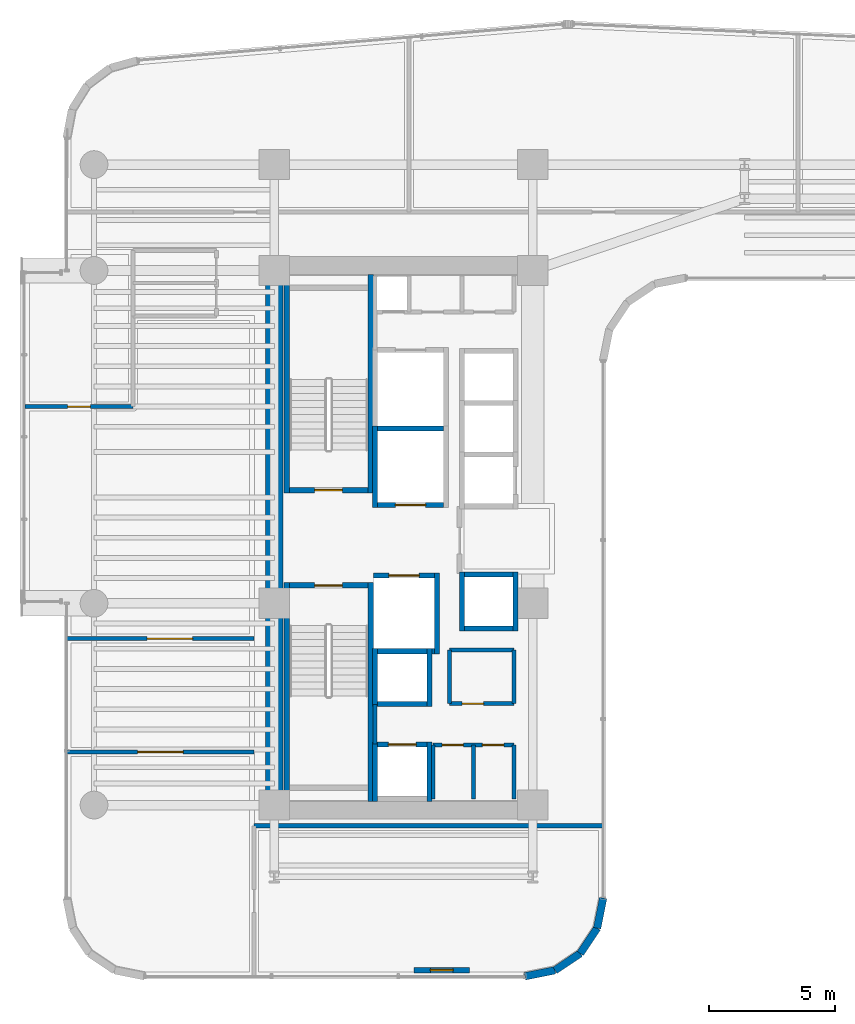
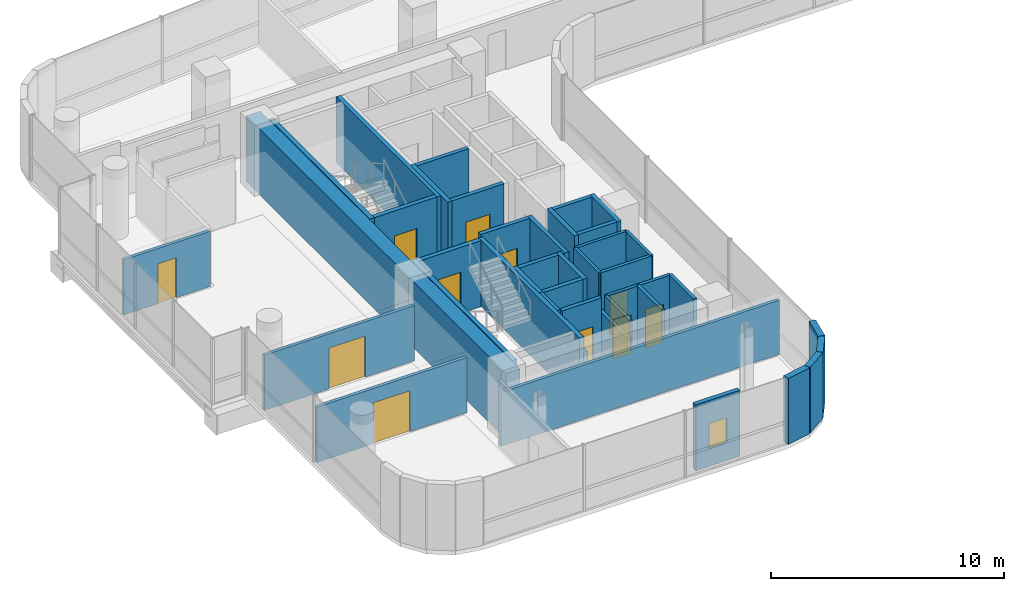
# One storey, part 26 of 34: 41 walls, 11 doors, 1 window, 12 openings.
"""IFC4 building model written with IfcOpenShell, lengths in metres."""

from ifc_helpers import new_model, si_unit, direction, frame, frame_2d, origin, place, context, subcontext, project, spatial, rectangle, extrude, material, layer, layer_set, type_object, element, fill, save


model = new_model("IFC4")

# Units and contexts
model_context = context("Model", 3, precision=1e-05, world=origin(), true_north=direction((0.0, 1.0)))
body_context = subcontext(model_context, "Body", "Model", "MODEL_VIEW")
ifc_project = project(units=[si_unit("LENGTHUNIT", "METRE"), si_unit("AREAUNIT", "SQUARE_METRE"), si_unit("VOLUMEUNIT", "CUBIC_METRE"), si_unit("PLANEANGLEUNIT", "RADIAN"), si_unit("MASSUNIT", "GRAM", prefix="KILO")], contexts=[model_context])

# Site, building, storey
site_placement = place(None, origin())
site = spatial("IfcSite", under=ifc_project, at=site_placement, CompositionType="ELEMENT")
building_placement = place(site_placement, origin())
building = spatial("IfcBuilding", under=site, at=building_placement, Name="Valdorenza Pilgrim Sanctuary Tower", CompositionType="ELEMENT")
storey_placement = place(building_placement, frame((0.0, 0.0, 146.39990234375)))
storey = spatial("IfcBuildingStorey", under=building, at=storey_placement, Name="L37", CompositionType="ELEMENT", Elevation=146.39990234375)

# Wall
ifc_material_1 = material(Name="Acoustic twin-stud gypsum partition", Category="gypsum")
ifc_layer_1 = layer(ifc_material_1, 0.159912109375, Name="Acoustic twin-stud gypsum partition")
ifc_layer_set_1 = layer_set([ifc_layer_1], Name="Acoustic twin-stud gypsum partition")
wall_type_1 = type_object("IfcWallType", Name="WAL-COR-160", PredefinedType="PARTITIONING", material=ifc_layer_set_1)
wall_1_placement = place(storey_placement, frame((-18.64990234375, -8.179931640625, 0.0), z_axis=(0.0, 0.0, 1.0), x_axis=(0.0, 1.0, 0.0)))
element("IfcWall", 1, at=wall_1_placement, inside=storey, type_object=wall_type_1, Name="L37 Core A South Lift Hall West Wall", PredefinedType="PARTITIONING", context=body_context, shape_type="SweptSolid", body=[
    extrude(rectangle(XDim=1.559814453125, YDim=0.159912109375, at=frame_2d((0.77978515625, 0.0))), origin(), (0.0, 0.0, 1.0), 3.460205078125),
])

# Wall, openings, doors
wall_2_placement = place(storey_placement, frame((-16.35009765625, -8.219970703125, 0.0), z_axis=(0.0, 0.0, 1.0), x_axis=(1.0, 0.0, 0.0)))
wall_2 = element("IfcWall", 2, at=wall_2_placement, inside=storey, type_object=wall_type_1, Name="L37 Freed Shaft 1 North Wall", PredefinedType="PARTITIONING", context=body_context, shape_type="SweptSolid", body=[
    extrude(rectangle(XDim=3.2001953125, YDim=0.159912109375, at=frame_2d((1.60009765625, 0.0))), origin(), (0.0, 0.0, 1.0), 3.460205078125),
])
opening_1_placement = place(wall_2_placement, frame((0.35009765625, 0.0, 0.0)))
opening_1 = element("IfcOpeningElement", 3, at=opening_1_placement, cuts=wall_2, Name="Opening DR-RS1", PredefinedType="OPENING", context=body_context, shape_type="SweptSolid", body=[
    extrude(rectangle(XDim=0.85009765625, YDim=2.050048828125, at=frame_2d((0.425048828125, 1.02490234375))), frame((0.0, 0.0947265625, 0.0), z_axis=(0.0, -1.0, 0.0), x_axis=(1.0, 0.0, 0.0)), (0.0, 0.0, 1.0), 0.189697265625),
])
opening_2_placement = place(wall_2_placement, frame((1.949951171875, 0.0, 0.0)))
opening_2 = element("IfcOpeningElement", 4, at=opening_2_placement, cuts=wall_2, Name="Opening DR-RS1", PredefinedType="OPENING", context=body_context, shape_type="SweptSolid", body=[
    extrude(rectangle(XDim=0.85009765625, YDim=2.050048828125, at=frame_2d((0.425048828125, 1.02490234375))), frame((0.0, 0.0947265625, 0.0), z_axis=(0.0, -1.0, 0.0), x_axis=(1.0, 0.0, 0.0)), (0.0, 0.0, 1.0), 0.189697265625),
])
ifc_material_2 = material(Name="Painted galvanized steel", Category="steel")
door_type_1 = type_object("IfcDoorType", Name="DR-RSR-850", OperationType="NOTDEFINED", PredefinedType="DOOR", material=ifc_material_2)
door_1_placement = place(opening_1_placement, origin())
door_1 = element("IfcDoor", 5, at=door_1_placement, inside=storey, type_object=door_type_1, Name="L37 Linen Store Door", OperationType="SINGLE_SWING_RIGHT", OverallHeight=2.050048828125, OverallWidth=0.85009765625, PredefinedType="DOOR", context=body_context, shape_type="SweptSolid", body=[
    extrude(rectangle(XDim=0.85009765625, YDim=2.050048828125, at=frame_2d((0.425048828125, 1.02490234375))), frame((0.0, 0.02490234375, 0.0), z_axis=(0.0, -1.0, 0.0), x_axis=(1.0, 0.0, 0.0)), (0.0, 0.0, 1.0), 0.050048828125),
])
fill(opening_1, door_1)
door_2_placement = place(opening_2_placement, origin())
door_2 = element("IfcDoor", 6, at=door_2_placement, inside=storey, type_object=door_type_1, Name="L37 Cot Store Door", OperationType="SINGLE_SWING_LEFT", OverallHeight=2.050048828125, OverallWidth=0.85009765625, PredefinedType="DOOR", context=body_context, shape_type="SweptSolid", body=[
    extrude(rectangle(XDim=0.85009765625, YDim=2.050048828125, at=frame_2d((0.425048828125, 1.02490234375))), frame((0.0, 0.02490234375, 0.0), z_axis=(0.0, -1.0, 0.0), x_axis=(1.0, 0.0, 0.0)), (0.0, 0.0, 1.0), 0.050048828125),
])
fill(opening_2, door_2)

# Walls
for number, where, z_axis, x_axis, name in (
    (7, (-13.14990234375, -10.35009765625, 0.0), (0.0, 0.0, 1.0), (0.0, 1.0, 0.0), "L37 Freed Shaft 1 East Wall"),
    (8, (-14.75, -10.35009765625, 0.0), (0.0, 0.0, 1.0), (0.0, 1.0, 0.0), "L37 Freed Shaft 1 Split Wall"),
):
    element("IfcWall", number, at=place(storey_placement, frame(where, z_axis=z_axis, x_axis=x_axis)), inside=storey, type_object=wall_type_1, Name=name, PredefinedType="PARTITIONING", context=body_context, shape_type="SweptSolid", body=[
        extrude(rectangle(XDim=2.130126953125, YDim=0.159912109375, at=frame_2d((1.06494140625, 0.0))), origin(), (0.0, 0.0, 1.0), 3.460205078125),
    ])

# Wall, opening, door
wall_3_placement = place(storey_placement, frame((-15.699951171875, -6.580078125, 0.0), z_axis=(0.0, 0.0, 1.0), x_axis=(1.0, 0.0, 0.0)))
wall_3 = element("IfcWall", 9, at=wall_3_placement, inside=storey, type_object=wall_type_1, Name="L37 Freed Shaft 2 South Wall", PredefinedType="PARTITIONING", context=body_context, shape_type="SweptSolid", body=[
    extrude(rectangle(XDim=2.550048828125, YDim=0.159912109375, at=frame_2d((1.27490234375, 0.0))), origin(), (0.0, 0.0, 1.0), 3.460205078125),
])
opening_3_placement = place(wall_3_placement, frame((0.5, 0.0, 0.0)))
opening_3 = element("IfcOpeningElement", 10, at=opening_3_placement, cuts=wall_3, Name="Opening DR-RS1", PredefinedType="OPENING", context=body_context, shape_type="SweptSolid", body=[
    extrude(rectangle(XDim=0.85009765625, YDim=2.050048828125, at=frame_2d((0.425048828125, 1.02490234375))), frame((0.0, 0.0947265625, 0.0), z_axis=(0.0, -1.0, 0.0), x_axis=(1.0, 0.0, 0.0)), (0.0, 0.0, 1.0), 0.189697265625),
])
door_3_placement = place(opening_3_placement, origin())
door_3 = element("IfcDoor", 11, at=door_3_placement, inside=storey, type_object=door_type_1, Name="L37 Guest Tea Pantry Door", OperationType="SINGLE_SWING_RIGHT", OverallHeight=2.050048828125, OverallWidth=0.85009765625, PredefinedType="DOOR", context=body_context, shape_type="SweptSolid", body=[
    extrude(rectangle(XDim=0.85009765625, YDim=2.050048828125, at=frame_2d((0.425048828125, 1.02490234375))), frame((0.0, 0.02490234375, 0.0), z_axis=(0.0, -1.0, 0.0), x_axis=(1.0, 0.0, 0.0)), (0.0, 0.0, 1.0), 0.050048828125),
])
fill(opening_3, door_3)

# Walls
wall_4_placement = place(storey_placement, frame((-13.14990234375, -6.580078125, 0.0), z_axis=(0.0, 0.0, 1.0), x_axis=(0.0, 1.0, 0.0)))
element("IfcWall", 12, at=wall_4_placement, inside=storey, type_object=wall_type_1, Name="L37 Freed Shaft 2 East Wall", PredefinedType="PARTITIONING", context=body_context, shape_type="SweptSolid", body=[
    extrude(rectangle(XDim=2.130126953125, YDim=0.159912109375, at=frame_2d((1.06494140625, 0.0))), origin(), (0.0, 0.0, 1.0), 3.460205078125),
])
wall_5_placement = place(storey_placement, frame((-23.449951171875, -11.419921875, 0.0), z_axis=(0.0, 0.0, 1.0), x_axis=(1.0, 0.0, 0.0)))
element("IfcWall", 13, at=wall_5_placement, inside=storey, type_object=wall_type_1, Name="L37 South-East Pocket North Wall", PredefinedType="PARTITIONING", context=body_context, shape_type="SweptSolid", body=[
    extrude(rectangle(XDim=13.83984375, YDim=0.159912109375, at=frame_2d((6.919921875, 0.0))), origin(), (0.0, 0.0, 1.0), 2.833984375),
])

# Wall, opening, door
wall_6_placement = place(storey_placement, frame((-30.889892578125, -8.5, 0.0), z_axis=(0.0, 0.0, 1.0), x_axis=(1.0, 0.0, 0.0)))
wall_6 = element("IfcWall", 14, at=wall_6_placement, inside=storey, type_object=wall_type_1, Name="L37 Cloister South Room Wall", PredefinedType="PARTITIONING", context=body_context, shape_type="SweptSolid", body=[
    extrude(rectangle(XDim=7.43994140625, YDim=0.159912109375, at=frame_2d((3.719970703125, 0.0))), origin(), (0.0, 0.0, 1.0), 2.89599609375),
])
opening_4_placement = place(wall_6_placement, frame((2.820068359375, 0.0, 0.0)))
opening_4 = element("IfcOpeningElement", 15, at=opening_4_placement, cuts=wall_6, Name="Opening DR-HL1", PredefinedType="OPENING", context=body_context, shape_type="SweptSolid", body=[
    extrude(rectangle(XDim=1.800048828125, YDim=2.14990234375, at=frame_2d((0.89990234375, 1.074951171875))), frame((0.0, 0.0947265625, 0.0), z_axis=(0.0, -1.0, 0.0), x_axis=(1.0, 0.0, 0.0)), (0.0, 0.0, 1.0), 0.189697265625),
])
ifc_material_3 = material(Name="Acoustic oak and vision-glass double door", Category="glass")
door_type_2 = type_object("IfcDoorType", Name="DR-HALL-1800", OperationType="NOTDEFINED", PredefinedType="DOOR", material=ifc_material_3)
door_4_placement = place(opening_4_placement, frame((1.800048828125, 0.0, 0.0), z_axis=(0.0, 0.0, 1.0), x_axis=(-1.0, 0.0, 0.0)))
door_4 = element("IfcDoor", 16, at=door_4_placement, inside=storey, type_object=door_type_2, Name="L37 Theological Seminar Classroom L37-S1 Door", OperationType="DOUBLE_DOOR_SINGLE_SWING", OverallHeight=2.14990234375, OverallWidth=1.800048828125, PredefinedType="DOOR", context=body_context, shape_type="SweptSolid", body=[
    extrude(rectangle(XDim=1.800048828125, YDim=2.14990234375, at=frame_2d((0.89990234375, 1.074951171875))), frame((0.0, 0.02490234375, 0.0), z_axis=(0.0, -1.0, 0.0), x_axis=(1.0, 0.0, 0.0)), (0.0, 0.0, 1.0), 0.050048828125),
])
fill(opening_4, door_4)

wall_7_placement = place(storey_placement, frame((-32.5400390625, 5.199951171875, 0.0), z_axis=(0.0, 0.0, 1.0), x_axis=(1.0, 0.0, 0.0)))
wall_7 = element("IfcWall", 17, at=wall_7_placement, inside=storey, type_object=wall_type_1, Name="L37 Cloister North Room Wall", PredefinedType="PARTITIONING", context=body_context, shape_type="SweptSolid", body=[
    extrude(rectangle(XDim=4.2900390625, YDim=0.159912109375, at=frame_2d((2.14501953125, 0.0))), origin(), (0.0, 0.0, 1.0), 2.89599609375),
])
opening_5_placement = place(wall_7_placement, frame((1.695068359375, 0.0, 0.0)))
opening_5 = element("IfcOpeningElement", 18, at=opening_5_placement, cuts=wall_7, Name="Opening DR-RM1", PredefinedType="OPENING", context=body_context, shape_type="SweptSolid", body=[
    extrude(rectangle(XDim=0.89990234375, YDim=2.10009765625, at=frame_2d((0.449951171875, 1.050048828125))), frame((0.0, 0.0947265625, 0.0), z_axis=(0.0, -1.0, 0.0), x_axis=(1.0, 0.0, 0.0)), (0.0, 0.0, 1.0), 0.189697265625),
])
ifc_material_4 = material(Name="Solid-core European oak timber", Category="wood")
door_type_3 = type_object("IfcDoorType", Name="DR-ROOM-900", OperationType="NOTDEFINED", PredefinedType="DOOR", material=ifc_material_4)
door_5_placement = place(opening_5_placement, origin())
door_5 = element("IfcDoor", 19, at=door_5_placement, inside=storey, type_object=door_type_3, Name="L37 North Contemplation Lounge L37 Door", OperationType="SINGLE_SWING_RIGHT", OverallHeight=2.10009765625, OverallWidth=0.89990234375, PredefinedType="DOOR", context=body_context, shape_type="SweptSolid", body=[
    extrude(rectangle(XDim=0.89990234375, YDim=2.10009765625, at=frame_2d((0.449951171875, 1.050048828125))), frame((0.0, 0.02490234375, 0.0), z_axis=(0.0, -1.0, 0.0), x_axis=(1.0, 0.0, 0.0)), (0.0, 0.0, 1.0), 0.050048828125),
])
fill(opening_5, door_5)

wall_8_placement = place(storey_placement, frame((-30.889892578125, -4.0, 0.0), z_axis=(0.0, 0.0, 1.0), x_axis=(1.0, 0.0, 0.0)))
wall_8 = element("IfcWall", 20, at=wall_8_placement, inside=storey, type_object=wall_type_1, Name="L37 Cloister Mid Wall", PredefinedType="PARTITIONING", context=body_context, shape_type="SweptSolid", body=[
    extrude(rectangle(XDim=7.43994140625, YDim=0.159912109375, at=frame_2d((3.719970703125, 0.0))), origin(), (0.0, 0.0, 1.0), 2.89599609375),
])
opening_6_placement = place(wall_8_placement, frame((3.199951171875, 0.0, 0.0)))
opening_6 = element("IfcOpeningElement", 21, at=opening_6_placement, cuts=wall_8, Name="Opening DR-HL1", PredefinedType="OPENING", context=body_context, shape_type="SweptSolid", body=[
    extrude(rectangle(XDim=1.800048828125, YDim=2.14990234375, at=frame_2d((0.89990234375, 1.074951171875))), frame((0.0, 0.0947265625, 0.0), z_axis=(0.0, -1.0, 0.0), x_axis=(1.0, 0.0, 0.0)), (0.0, 0.0, 1.0), 0.189697265625),
])
door_6_placement = place(opening_6_placement, frame((1.800048828125, 0.0, 0.0), z_axis=(0.0, 0.0, 1.0), x_axis=(-1.0, 0.0, 0.0)))
door_6 = element("IfcDoor", 22, at=door_6_placement, inside=storey, type_object=door_type_2, Name="L37 Cloister Mid Double Door", OperationType="DOUBLE_DOOR_SINGLE_SWING", OverallHeight=2.14990234375, OverallWidth=1.800048828125, PredefinedType="DOOR", context=body_context, shape_type="SweptSolid", body=[
    extrude(rectangle(XDim=1.800048828125, YDim=2.14990234375, at=frame_2d((0.89990234375, 1.074951171875))), frame((0.0, 0.02490234375, 0.0), z_axis=(0.0, -1.0, 0.0), x_axis=(1.0, 0.0, 0.0)), (0.0, 0.0, 1.0), 0.050048828125),
])
fill(opening_6, door_6)

# Walls
ifc_material_5 = material(Name="Concrete C60/75", Category="concrete")
ifc_layer_2 = layer(ifc_material_5, 0.699951171875, Name="Concrete C60/75")
ifc_layer_set_2 = layer_set([ifc_layer_2], Name="Concrete C60/75")
wall_type_2 = type_object("IfcWallType", Name="WAL-COR-700", PredefinedType="SHEAR", material=ifc_layer_set_2)
wall_9_placement = place(storey_placement, frame((-22.64990234375, -11.14990234375, 0.0), z_axis=(0.0, 0.0, 1.0), x_axis=(0.0, 1.0, 0.0)))
element("IfcWall", 23, at=wall_9_placement, inside=storey, type_object=wall_type_2, Name="L37 Split Core A Shear Wall W", PredefinedType="SHEAR", context=body_context, shape_type="SweptSolid", body=[
    extrude(rectangle(XDim=22.2998046875, YDim=0.699951171875, at=frame_2d((11.14990234375, 0.0))), origin(), (0.0, 0.0, 1.0), 3.460205078125),
])
ifc_material_6 = material(Name="Honed travertine limestone", Category="masonry")
ifc_layer_3 = layer(ifc_material_6, 0.300048828125, Name="Honed travertine limestone")
ifc_layer_set_3 = layer_set([ifc_layer_3], Name="Honed travertine limestone")
wall_type_3 = type_object("IfcWallType", Name="WAL-EXT-300", PredefinedType="SOLIDWALL", material=ifc_layer_set_3)
wall_10_placement = place(storey_placement, frame((-9.610107421875, -14.289306640625, 0.0), z_axis=(0.0, 0.0, 1.0), x_axis=(-0.194996050505, -0.980804027463, 0.0)))
element("IfcWall", 24, at=wall_10_placement, inside=storey, type_object=wall_type_3, Name="L37 Rounded Wind-Corner Stone Pier 42", PredefinedType="SOLIDWALL", context=body_context, shape_type="SweptSolid", body=[
    extrude(rectangle(XDim=1.2158203125, YDim=0.300048828125, at=frame_2d((0.60791015625, 0.0))), origin(), (0.0, 0.0, 1.0), 3.460205078125),
])
for number, where, z_axis, x_axis, name in (
    (25, (-9.84716796875, -15.481689453125, 0.0), (0.0, 0.0, 1.0), (-0.555635100982, -0.831426265255, 0.0), "L37 Rounded Wind-Corner Stone Pier 43"),
    (26, (-10.5166015625, -16.4833984375, 0.0), (0.0, 0.0, 1.0), (-0.831426265255, -0.555635100982, 0.0), "L37 Rounded Wind-Corner Stone Pier 44"),
):
    element("IfcWall", number, at=place(storey_placement, frame(where, z_axis=z_axis, x_axis=x_axis)), inside=storey, type_object=wall_type_3, Name=name, PredefinedType="SOLIDWALL", context=body_context, shape_type="SweptSolid", body=[
        extrude(rectangle(XDim=1.204833984375, YDim=0.300048828125, at=frame_2d((0.6025390625, 0.0))), origin(), (0.0, 0.0, 1.0), 3.460205078125),
    ])
wall_11_placement = place(storey_placement, frame((-11.518310546875, -17.15283203125, 0.0), z_axis=(0.0, 0.0, 1.0), x_axis=(-0.980804027463, -0.194996050505, 0.0)))
element("IfcWall", 27, at=wall_11_placement, inside=storey, type_object=wall_type_3, Name="L37 Rounded Wind-Corner Stone Pier 45", PredefinedType="SOLIDWALL", context=body_context, shape_type="SweptSolid", body=[
    extrude(rectangle(XDim=1.2158203125, YDim=0.300048828125, at=frame_2d((0.60791015625, 0.0))), origin(), (0.0, 0.0, 1.0), 3.460205078125),
])

# Wall, opening, window
wall_12_placement = place(storey_placement, frame((-14.910888671875, -17.14990234375, 0.0), z_axis=(0.0, 0.0, 1.0), x_axis=(-1.0, 0.0, 0.0)))
wall_12 = element("IfcWall", 28, at=wall_12_placement, inside=storey, type_object=wall_type_3, Name="L37 Operable Ventilation Sash Jamb Pier", PredefinedType="SOLIDWALL", context=body_context, shape_type="SweptSolid", body=[
    extrude(rectangle(XDim=2.199951171875, YDim=0.219970703125, at=frame_2d((1.10009765625, 0.0))), origin(), (0.0, 0.0, 1.0), 3.460205078125),
])
opening_7_placement = place(wall_12_placement, frame((0.64990234375, 0.0, 0.949951171875)))
opening_7 = element("IfcOpeningElement", 29, at=opening_7_placement, cuts=wall_12, Name="Opening WN-OP1", PredefinedType="OPENING", context=body_context, shape_type="SweptSolid", body=[
    extrude(rectangle(XDim=0.89990234375, YDim=1.300048828125, at=frame_2d((0.449951171875, 0.64990234375))), frame((0.0, 0.125, 0.0), z_axis=(0.0, -1.0, 0.0), x_axis=(1.0, 0.0, 0.0)), (0.0, 0.0, 1.0), 0.249755859375),
])
ifc_material_7 = material(Name="Ceramic-fritted low-E IGU glazing", Category="glass")
window_type = type_object("IfcWindowType", Name="WIN-OPN-900", PartitioningType="SINGLE_PANEL", PredefinedType="WINDOW", material=ifc_material_7)
window_placement = place(opening_7_placement, origin())
window = element("IfcWindow", 30, at=window_placement, inside=storey, type_object=window_type, Name="L37 Parallel-Pop-Out Operable Facade Panel", OverallHeight=1.300048828125, OverallWidth=0.89990234375, PartitioningType="SINGLE_PANEL", PredefinedType="WINDOW", context=body_context, shape_type="SweptSolid", body=[
    extrude(rectangle(XDim=0.89990234375, YDim=1.300048828125, at=frame_2d((0.449951171875, 0.64990234375))), frame((0.0, 0.030029296875, 0.0), z_axis=(0.0, -1.0, 0.0), x_axis=(1.0, 0.0, 0.0)), (0.0, 0.0, 1.0), 0.06005859375),
])
fill(opening_7, window)

# Wall
ifc_material_8 = material(Name="Autoclaved aerated concrete blockwork", Category="masonry")
ifc_layer_4 = layer(ifc_material_8, 0.199951171875, Name="Autoclaved aerated concrete blockwork")
ifc_layer_set_4 = layer_set([ifc_layer_4], Name="Autoclaved aerated concrete blockwork")
wall_type_4 = type_object("IfcWallType", Name="WAL-SHF-200", PredefinedType="MOVABLE", material=ifc_layer_set_4)
wall_13_placement = place(storey_placement, frame((-18.64990234375, 1.199951171875, 0.0), z_axis=(0.0, 0.0, 1.0), x_axis=(0.0, 1.0, 0.0)))
element("IfcWall", 31, at=wall_13_placement, inside=storey, type_object=wall_type_4, Name="L37 Lift FFL-01 Hoistway Wall West", PredefinedType="MOVABLE", context=body_context, shape_type="SweptSolid", body=[
    extrude(rectangle(XDim=3.22509765625, YDim=0.199951171875, at=frame_2d((1.612548828125, 0.0))), origin(), (0.0, 0.0, 1.0), 3.460205078125),
])

# Wall, opening, door
wall_14_placement = place(storey_placement, frame((-18.550048828125, 1.300048828125, 0.0), z_axis=(0.0, 0.0, 1.0), x_axis=(1.0, 0.0, 0.0)))
wall_14 = element("IfcWall", 32, at=wall_14_placement, inside=storey, type_object=wall_type_4, Name="L37 Lift FFL-01 Hoistway Wall South", PredefinedType="MOVABLE", context=body_context, shape_type="SweptSolid", body=[
    extrude(rectangle(XDim=2.60009765625, YDim=0.199951171875, at=frame_2d((1.300048828125, 0.0))), origin(), (0.0, 0.0, 1.0), 3.460205078125),
])
opening_8_placement = place(wall_14_placement, frame((0.699951171875, 0.0, 0.0)))
opening_8 = element("IfcOpeningElement", 33, at=opening_8_placement, cuts=wall_14, Name="Opening LD-02", PredefinedType="OPENING", context=body_context, shape_type="SweptSolid", body=[
    extrude(rectangle(XDim=1.199951171875, YDim=2.10009765625, at=frame_2d((0.60009765625, 1.050048828125))), frame((0.0, 0.11474609375, 0.0), z_axis=(0.0, -1.0, 0.0), x_axis=(1.0, 0.0, 0.0)), (0.0, 0.0, 1.0), 0.229736328125),
])
ifc_material_9 = material(Name="Brushed stainless steel Grade 316", Category="steel")
door_type_4 = type_object("IfcDoorType", Name="DR-LFT-1200", OperationType="DOUBLE_DOOR_SLIDING", PredefinedType="DOOR", material=ifc_material_9)
door_7_placement = place(opening_8_placement, origin())
door_7 = element("IfcDoor", 34, at=door_7_placement, inside=storey, type_object=door_type_4, Name="L37 Lift FFL-01 Sliding Landing Door", OperationType="DOUBLE_DOOR_SLIDING", OverallHeight=2.10009765625, OverallWidth=1.199951171875, PredefinedType="DOOR", context=body_context, shape_type="SweptSolid", body=[
    extrude(rectangle(XDim=1.199951171875, YDim=2.10009765625, at=frame_2d((0.60009765625, 1.050048828125))), frame((0.0, 0.02490234375, 0.0), z_axis=(0.0, -1.0, 0.0), x_axis=(1.0, 0.0, 0.0)), (0.0, 0.0, 1.0), 0.050048828125),
])
fill(opening_8, door_7)

# Walls
wall_15_placement = place(storey_placement, frame((-18.550048828125, 4.324951171875, 0.0), z_axis=(0.0, 0.0, 1.0), x_axis=(1.0, 0.0, 0.0)))
element("IfcWall", 35, at=wall_15_placement, inside=storey, type_object=wall_type_4, Name="L37 Lift FFL-01 Hoistway Wall North", PredefinedType="MOVABLE", context=body_context, shape_type="SweptSolid", body=[
    extrude(rectangle(XDim=2.60009765625, YDim=0.199951171875, at=frame_2d((1.300048828125, 0.0))), origin(), (0.0, 0.0, 1.0), 3.460205078125),
])
wall_16_placement = place(storey_placement, frame((-16.199951171875, -4.60009765625, 0.0), z_axis=(0.0, 0.0, 1.0), x_axis=(0.0, 1.0, 0.0)))
element("IfcWall", 36, at=wall_16_placement, inside=storey, type_object=wall_type_4, Name="L37 Lift FFL-02 Hoistway Wall East", PredefinedType="MOVABLE", context=body_context, shape_type="SweptSolid", body=[
    extrude(rectangle(XDim=3.2001953125, YDim=0.199951171875, at=frame_2d((1.60009765625, 0.0))), origin(), (0.0, 0.0, 1.0), 3.460205078125),
])
wall_17_placement = place(storey_placement, frame((-18.719970703125, -4.5, 0.0), z_axis=(0.0, 0.0, 1.0), x_axis=(1.0, 0.0, 0.0)))
element("IfcWall", 37, at=wall_17_placement, inside=storey, type_object=wall_type_4, Name="L37 Lift FFL-02 Hoistway Wall South", PredefinedType="MOVABLE", context=body_context, shape_type="SweptSolid", body=[
    extrude(rectangle(XDim=2.419921875, YDim=0.199951171875, at=frame_2d((1.2099609375, 0.0))), origin(), (0.0, 0.0, 1.0), 3.460205078125),
])

# Wall, opening, door
wall_18_placement = place(storey_placement, frame((-18.719970703125, -1.5, 0.0), z_axis=(0.0, 0.0, 1.0), x_axis=(1.0, 0.0, 0.0)))
wall_18 = element("IfcWall", 38, at=wall_18_placement, inside=storey, type_object=wall_type_4, Name="L37 Lift FFL-02 Hoistway Wall North", PredefinedType="MOVABLE", context=body_context, shape_type="SweptSolid", body=[
    extrude(rectangle(XDim=2.419921875, YDim=0.199951171875, at=frame_2d((1.2099609375, 0.0))), origin(), (0.0, 0.0, 1.0), 3.460205078125),
])
opening_9_placement = place(wall_18_placement, frame((0.610107421875, 0.0, 0.0)))
opening_9 = element("IfcOpeningElement", 39, at=opening_9_placement, cuts=wall_18, Name="Opening LD-02", PredefinedType="OPENING", context=body_context, shape_type="SweptSolid", body=[
    extrude(rectangle(XDim=1.199951171875, YDim=2.10009765625, at=frame_2d((0.60009765625, 1.050048828125))), frame((0.0, 0.11474609375, 0.0), z_axis=(0.0, -1.0, 0.0), x_axis=(1.0, 0.0, 0.0)), (0.0, 0.0, 1.0), 0.229736328125),
])
door_8_placement = place(opening_9_placement, origin())
door_8 = element("IfcDoor", 40, at=door_8_placement, inside=storey, type_object=door_type_4, Name="L37 Lift FFL-02 Sliding Landing Door", OperationType="DOUBLE_DOOR_SLIDING", OverallHeight=2.10009765625, OverallWidth=1.199951171875, PredefinedType="DOOR", context=body_context, shape_type="SweptSolid", body=[
    extrude(rectangle(XDim=1.199951171875, YDim=2.10009765625, at=frame_2d((0.60009765625, 1.050048828125))), frame((0.0, 0.02490234375, 0.0), z_axis=(0.0, -1.0, 0.0), x_axis=(1.0, 0.0, 0.0)), (0.0, 0.0, 1.0), 0.050048828125),
])
fill(opening_9, door_8)

# Walls
for number, where, z_axis, x_axis, name in (
    (41, (-18.64990234375, -10.449951171875, 0.0), (0.0, 0.0, 1.0), (0.0, 1.0, 0.0), "L37 Lift PL-05 Hoistway Wall West"),
    (42, (-16.5, -10.449951171875, 0.0), (0.0, 0.0, 1.0), (0.0, 1.0, 0.0), "L37 Lift PL-05 Hoistway Wall East"),
):
    element("IfcWall", number, at=place(storey_placement, frame(where, z_axis=z_axis, x_axis=x_axis)), inside=storey, type_object=wall_type_4, Name=name, PredefinedType="MOVABLE", context=body_context, shape_type="SweptSolid", body=[
        extrude(rectangle(XDim=2.349853515625, YDim=0.199951171875, at=frame_2d((1.1748046875, 0.0))), origin(), (0.0, 0.0, 1.0), 2.666015625),
    ])

# Wall, opening, door
wall_19_placement = place(storey_placement, frame((-18.550048828125, -8.199951171875, 0.0), z_axis=(0.0, 0.0, 1.0), x_axis=(1.0, 0.0, 0.0)))
wall_19 = element("IfcWall", 43, at=wall_19_placement, inside=storey, type_object=wall_type_4, Name="L37 Lift PL-05 Hoistway Wall North", PredefinedType="MOVABLE", context=body_context, shape_type="SweptSolid", body=[
    extrude(rectangle(XDim=1.949951171875, YDim=0.199951171875, at=frame_2d((0.97509765625, 0.0))), origin(), (0.0, 0.0, 1.0), 3.460205078125),
])
opening_10_placement = place(wall_19_placement, frame((0.425048828125, 0.0, 0.0)))
opening_10 = element("IfcOpeningElement", 44, at=opening_10_placement, cuts=wall_19, Name="Opening LD-01", PredefinedType="OPENING", context=body_context, shape_type="SweptSolid", body=[
    extrude(rectangle(XDim=1.10009765625, YDim=2.10009765625, at=frame_2d((0.550048828125, 1.050048828125))), frame((0.0, 0.11474609375, 0.0), z_axis=(0.0, -1.0, 0.0), x_axis=(1.0, 0.0, 0.0)), (0.0, 0.0, 1.0), 0.229736328125),
])
door_type_5 = type_object("IfcDoorType", Name="DR-LFT-1100", OperationType="DOUBLE_DOOR_SLIDING", PredefinedType="DOOR", material=ifc_material_9)
door_9_placement = place(opening_10_placement, origin())
door_9 = element("IfcDoor", 45, at=door_9_placement, inside=storey, type_object=door_type_5, Name="L37 Lift PL-05 Sliding Landing Door", OperationType="DOUBLE_DOOR_SLIDING", OverallHeight=2.10009765625, OverallWidth=1.10009765625, PredefinedType="DOOR", context=body_context, shape_type="SweptSolid", body=[
    extrude(rectangle(XDim=1.10009765625, YDim=2.10009765625, at=frame_2d((0.550048828125, 1.050048828125))), frame((0.0, 0.02490234375, 0.0), z_axis=(0.0, -1.0, 0.0), x_axis=(1.0, 0.0, 0.0)), (0.0, 0.0, 1.0), 0.050048828125),
])
fill(opening_10, door_9)

# Walls
for number, where, z_axis, x_axis, name in (
    (46, (-18.64990234375, -6.699951171875, 0.0), (0.0, 0.0, 1.0), (0.0, 1.0, 0.0), "L37 Lift PL-11 Hoistway Wall West"),
    (47, (-16.5, -6.699951171875, 0.0), (0.0, 0.0, 1.0), (0.0, 1.0, 0.0), "L37 Lift PL-11 Hoistway Wall East"),
):
    element("IfcWall", number, at=place(storey_placement, frame(where, z_axis=z_axis, x_axis=x_axis)), inside=storey, type_object=wall_type_4, Name=name, PredefinedType="MOVABLE", context=body_context, shape_type="SweptSolid", body=[
        extrude(rectangle(XDim=2.300048828125, YDim=0.199951171875, at=frame_2d((1.14990234375, 0.0))), origin(), (0.0, 0.0, 1.0), 3.460205078125),
    ])
wall_20_placement = place(storey_placement, frame((-18.550048828125, -6.60009765625, 0.0), z_axis=(0.0, 0.0, 1.0), x_axis=(1.0, 0.0, 0.0)))
element("IfcWall", 48, at=wall_20_placement, inside=storey, type_object=wall_type_4, Name="L37 Lift PL-11 Hoistway Wall South", PredefinedType="MOVABLE", context=body_context, shape_type="SweptSolid", body=[
    extrude(rectangle(XDim=1.949951171875, YDim=0.199951171875, at=frame_2d((0.97509765625, 0.0))), origin(), (0.0, 0.0, 1.0), 3.460205078125),
])
for number, where, z_axis, x_axis, name in (
    (49, (-15.199951171875, -3.699951171875, 0.0), (0.0, 0.0, 1.0), (0.0, 1.0, 0.0), "L37 Lift PL-12 Hoistway Wall West"),
    (50, (-13.080078125, -3.699951171875, 0.0), (0.0, 0.0, 1.0), (0.0, 1.0, 0.0), "L37 Lift PL-12 Hoistway Wall East"),
):
    element("IfcWall", number, at=place(storey_placement, frame(where, z_axis=z_axis, x_axis=x_axis)), inside=storey, type_object=wall_type_4, Name=name, PredefinedType="MOVABLE", context=body_context, shape_type="SweptSolid", body=[
        extrude(rectangle(XDim=2.349853515625, YDim=0.199951171875, at=frame_2d((1.1748046875, 0.0))), origin(), (0.0, 0.0, 1.0), 3.460205078125),
    ])
for number, where, z_axis, x_axis, name in (
    (51, (-15.10009765625, -3.60009765625, 0.0), (0.0, 0.0, 1.0), (1.0, 0.0, 0.0), "L37 Lift PL-12 Hoistway Wall South"),
    (52, (-15.10009765625, -1.449951171875, 0.0), (0.0, 0.0, 1.0), (1.0, 0.0, 0.0), "L37 Lift PL-12 Hoistway Wall North"),
):
    element("IfcWall", number, at=place(storey_placement, frame(where, z_axis=z_axis, x_axis=x_axis)), inside=storey, type_object=wall_type_4, Name=name, PredefinedType="MOVABLE", context=body_context, shape_type="SweptSolid", body=[
        extrude(rectangle(XDim=1.920166015625, YDim=0.199951171875, at=frame_2d((0.9599609375, 0.0))), origin(), (0.0, 0.0, 1.0), 3.460205078125),
    ])
ifc_material_10 = material(Name="Concrete C40/50", Category="concrete")
ifc_layer_5 = layer(ifc_material_10, 0.219970703125, Name="Concrete C40/50")
ifc_layer_set_5 = layer_set([ifc_layer_5], Name="Concrete C40/50")
wall_type_5 = type_object("IfcWallType", Name="WAL-STR-SHF-220", PredefinedType="SHEAR", material=ifc_layer_set_5)
for number, where, z_axis, x_axis, name in (
    (53, (-22.159912109375, 1.780029296875, 0.0), (0.0, 0.0, 1.0), (0.0, 1.0, 0.0), "L37 ST-A1 Structural Stairwell Wall W"),
    (54, (-18.830078125, 1.780029296875, 0.0), (0.0, 0.0, 1.0), (0.0, 1.0, 0.0), "L37 ST-A1 Structural Stairwell Wall E"),
):
    element("IfcWall", number, at=place(storey_placement, frame(where, z_axis=z_axis, x_axis=x_axis)), inside=storey, type_object=wall_type_5, Name=name, PredefinedType="SHEAR", context=body_context, shape_type="SweptSolid", body=[
        extrude(rectangle(XDim=8.669921875, YDim=0.219970703125, at=frame_2d((4.3349609375, 0.0))), origin(), (0.0, 0.0, 1.0), 3.460205078125),
    ])

# Wall, opening, door
wall_21_placement = place(storey_placement, frame((-22.050048828125, 1.889892578125, 0.0), z_axis=(0.0, 0.0, 1.0), x_axis=(1.0, 0.0, 0.0)))
wall_21 = element("IfcWall", 55, at=wall_21_placement, inside=storey, type_object=wall_type_5, Name="L37 ST-A1 Structural Stairwell Wall S", PredefinedType="SHEAR", context=body_context, shape_type="SweptSolid", body=[
    extrude(rectangle(XDim=3.110107421875, YDim=0.219970703125, at=frame_2d((1.55517578125, 0.0))), origin(), (0.0, 0.0, 1.0), 3.460205078125),
])
opening_11_placement = place(wall_21_placement, frame((1.0, 0.0, 0.0)))
opening_11 = element("IfcOpeningElement", 56, at=opening_11_placement, cuts=wall_21, Name="Opening DR-ST1", PredefinedType="OPENING", context=body_context, shape_type="SweptSolid", body=[
    extrude(rectangle(XDim=1.10009765625, YDim=2.14990234375, at=frame_2d((0.550048828125, 1.074951171875))), frame((0.0, 0.125, 0.0), z_axis=(0.0, -1.0, 0.0), x_axis=(1.0, 0.0, 0.0)), (0.0, 0.0, 1.0), 0.249755859375),
])
door_type_6 = type_object("IfcDoorType", Name="DR-STAIR-1100", OperationType="NOTDEFINED", PredefinedType="DOOR", material=ifc_material_2)
door_10_placement = place(opening_11_placement, frame((1.10009765625, 0.0, 0.0), z_axis=(0.0, 0.0, 1.0), x_axis=(-1.0, 0.0, 0.0)))
door_10 = element("IfcDoor", 57, at=door_10_placement, inside=storey, type_object=door_type_6, Name="L37 Exit Stair ST-A1 Door", OperationType="SINGLE_SWING_LEFT", OverallHeight=2.14990234375, OverallWidth=1.10009765625, PredefinedType="DOOR", context=body_context, shape_type="SweptSolid", body=[
    extrude(rectangle(XDim=1.10009765625, YDim=2.14990234375, at=frame_2d((0.550048828125, 1.074951171875))), frame((0.0, 0.02490234375, 0.0), z_axis=(0.0, -1.0, 0.0), x_axis=(1.0, 0.0, 0.0)), (0.0, 0.0, 1.0), 0.050048828125),
])
fill(opening_11, door_10)

# Walls
for number, where, z_axis, x_axis, name in (
    (58, (-22.159912109375, -10.449951171875, 0.0), (0.0, 0.0, 1.0), (0.0, 1.0, 0.0), "L37 ST-A2 Structural Stairwell Wall W"),
    (59, (-18.830078125, -10.449951171875, 0.0), (0.0, 0.0, 1.0), (0.0, 1.0, 0.0), "L37 ST-A2 Structural Stairwell Wall E"),
):
    element("IfcWall", number, at=place(storey_placement, frame(where, z_axis=z_axis, x_axis=x_axis)), inside=storey, type_object=wall_type_5, Name=name, PredefinedType="SHEAR", context=body_context, shape_type="SweptSolid", body=[
        extrude(rectangle(XDim=8.669921875, YDim=0.219970703125, at=frame_2d((4.3349609375, 0.0))), origin(), (0.0, 0.0, 1.0), 3.460205078125),
    ])

# Wall, opening, door
wall_22_placement = place(storey_placement, frame((-22.050048828125, -1.889892578125, 0.0), z_axis=(0.0, 0.0, 1.0), x_axis=(1.0, 0.0, 0.0)))
wall_22 = element("IfcWall", 60, at=wall_22_placement, inside=storey, type_object=wall_type_5, Name="L37 ST-A2 Structural Stairwell Wall N", PredefinedType="SHEAR", context=body_context, shape_type="SweptSolid", body=[
    extrude(rectangle(XDim=3.110107421875, YDim=0.219970703125, at=frame_2d((1.55517578125, 0.0))), origin(), (0.0, 0.0, 1.0), 3.460205078125),
])
opening_12_placement = place(wall_22_placement, frame((1.0, 0.0, 0.0)))
opening_12 = element("IfcOpeningElement", 61, at=opening_12_placement, cuts=wall_22, Name="Opening DR-ST1", PredefinedType="OPENING", context=body_context, shape_type="SweptSolid", body=[
    extrude(rectangle(XDim=1.10009765625, YDim=2.14990234375, at=frame_2d((0.550048828125, 1.074951171875))), frame((0.0, 0.125, 0.0), z_axis=(0.0, -1.0, 0.0), x_axis=(1.0, 0.0, 0.0)), (0.0, 0.0, 1.0), 0.249755859375),
])
door_11_placement = place(opening_12_placement, origin())
door_11 = element("IfcDoor", 62, at=door_11_placement, inside=storey, type_object=door_type_6, Name="L37 Exit Stair ST-A2 Door", OperationType="SINGLE_SWING_RIGHT", OverallHeight=2.14990234375, OverallWidth=1.10009765625, PredefinedType="DOOR", context=body_context, shape_type="SweptSolid", body=[
    extrude(rectangle(XDim=1.10009765625, YDim=2.14990234375, at=frame_2d((0.550048828125, 1.074951171875))), frame((0.0, 0.02490234375, 0.0), z_axis=(0.0, -1.0, 0.0), x_axis=(1.0, 0.0, 0.0)), (0.0, 0.0, 1.0), 0.050048828125),
])
fill(opening_12, door_11)

# Walls
ifc_layer_6 = layer(ifc_material_1, 0.14990234375, Name="Acoustic twin-stud gypsum partition")
ifc_layer_set_6 = layer_set([ifc_layer_6], Name="Acoustic twin-stud gypsum partition")
wall_type_6 = type_object("IfcWallType", Name="WAL-UNT-150", PredefinedType="PARTITIONING", material=ifc_layer_set_6)
for number, where, z_axis, x_axis, name in (
    (63, (-16.35009765625, -10.35009765625, 0.0), (0.0, 0.0, 1.0), (0.0, 1.0, 0.0), "L37 Freed Shaft 1 West Wall"),
    (64, (-15.699951171875, -6.580078125, 0.0), (0.0, 0.0, 1.0), (0.0, 1.0, 0.0), "L37 Freed Shaft 2 West Wall"),
):
    element("IfcWall", number, at=place(storey_placement, frame(where, z_axis=z_axis, x_axis=x_axis)), inside=storey, type_object=wall_type_6, Name=name, PredefinedType="PARTITIONING", context=body_context, shape_type="SweptSolid", body=[
        extrude(rectangle(XDim=2.130126953125, YDim=0.14990234375, at=frame_2d((1.06494140625, 0.0))), origin(), (0.0, 0.0, 1.0), 3.460205078125),
    ])
wall_23_placement = place(storey_placement, frame((-15.699951171875, -4.449951171875, 0.0), z_axis=(0.0, 0.0, 1.0), x_axis=(1.0, 0.0, 0.0)))
element("IfcWall", 65, at=wall_23_placement, inside=storey, type_object=wall_type_6, Name="L37 Freed Shaft 2 North Wall", PredefinedType="PARTITIONING", context=body_context, shape_type="SweptSolid", body=[
    extrude(rectangle(XDim=2.550048828125, YDim=0.14990234375, at=frame_2d((1.27490234375, 0.0))), origin(), (0.0, 0.0, 1.0), 3.460205078125),
])

save(model, "model.ifc")
